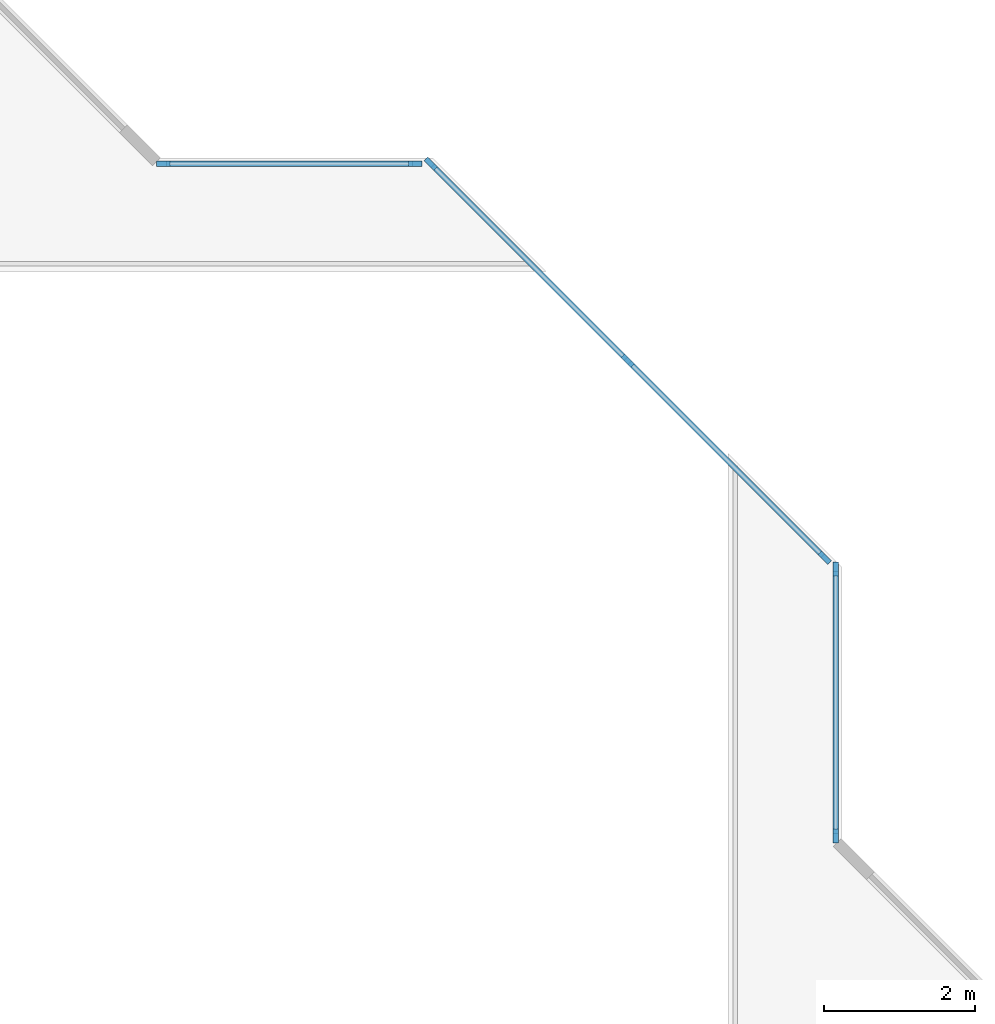
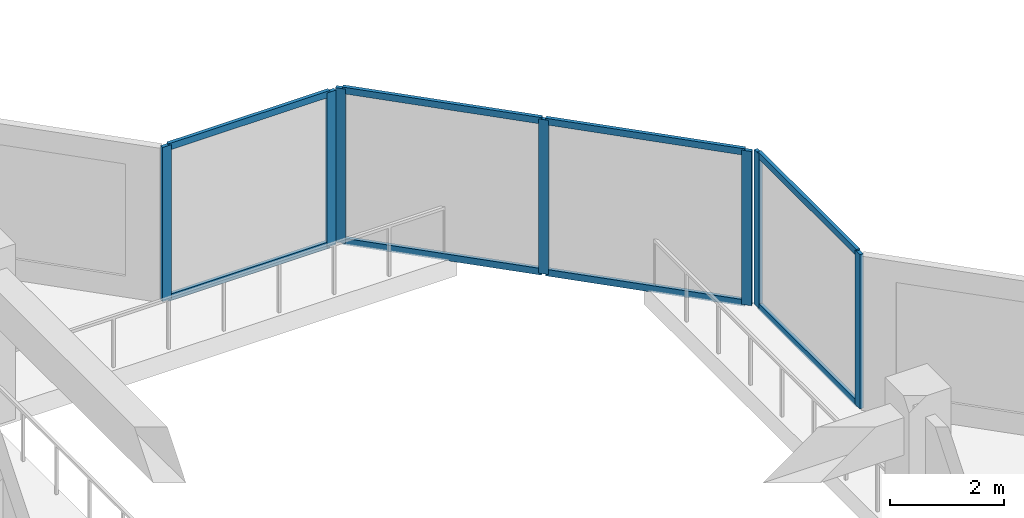
# One storey, part 2 of 15: 15 members, 3 elements without a shape of their own.
"""IFC4 building model written with IfcOpenShell, lengths in metres."""

from ifc_helpers import new_model, si_unit, direction, frame, origin, origin_2d, place, context, subcontext, project, spatial, rectangle, extrude, material, layer, layer_set, material_profile, profile_set, type_object, element, aggregate, save


model = new_model("IFC4")

# Units and contexts
model_context = context("Model", 3, precision=1e-05, world=origin(), true_north=direction((0.0, 1.0)))
body_context = subcontext(model_context, "Body", "Model", "MODEL_VIEW")
ifc_project = project(units=[si_unit("LENGTHUNIT", "METRE"), si_unit("AREAUNIT", "SQUARE_METRE"), si_unit("VOLUMEUNIT", "CUBIC_METRE"), si_unit("PLANEANGLEUNIT", "RADIAN"), si_unit("MASSUNIT", "GRAM", prefix="KILO")], contexts=[model_context])

# Site, building, storey
site_placement = place(None, origin())
site = spatial("IfcSite", under=ifc_project, at=site_placement, CompositionType="ELEMENT")
building_placement = place(site_placement, origin())
building = spatial("IfcBuilding", under=site, at=building_placement, Name="Chenar Terraces", CompositionType="ELEMENT")
storey_placement = place(building_placement, frame((0.0, 0.0, 252.89990234375)))
storey = spatial("IfcBuildingStorey", under=building, at=storey_placement, Name="L60", CompositionType="ELEMENT", Elevation=252.89990234375)

# Curtain wall, members
ifc_material_1 = material(Name="Aluminium framed glazing", Category="aluminium")
ifc_layer = layer(ifc_material_1, 0.14990234375)
ifc_layer_set = layer_set([ifc_layer], Name="Aluminium framed glazing")
curtain_wall_type = type_object("IfcCurtainWallType", Name="Atrium mid-zone curtain wall", PredefinedType="NOTDEFINED", material=ifc_layer_set)
placement = place(storey_placement, origin())
curtain_wall_1 = element("IfcCurtainWall", 1, at=placement, inside=storey, type_object=curtain_wall_type, Name="Atrium mid-zone curtain wall", PredefinedType="NOTDEFINED")
ifc_material_2 = material(Name="Aluminium", Category="aluminium")
ifc_material_profile_1 = material_profile(ifc_material_2, rectangle(XDim=0.070068359375, YDim=0.179931640625, at=origin_2d()), Name="Atrium mid-zone glazing mullion 70 x 180")
ifc_profile_set_1 = profile_set([ifc_material_profile_1], Name="Aluminium")
member_type_1 = type_object("IfcMemberType", Name="Atrium mid-zone glazing mullion 70 x 180", PredefinedType="MULLION", material=ifc_profile_set_1)
member_1_placement = place(storey_placement, frame((37.425048828125, 28.534912109375, 0.0), z_axis=(0.0, 0.0, 1.0), x_axis=(-1.0, 0.0, 0.0)))
member_1 = element("IfcMember", 2, at=member_1_placement, type_object=member_type_1, Name="CW7-1 mullion 1", PredefinedType="MULLION", context=body_context, shape_type="SweptSolid", body=[
    extrude(rectangle(XDim=0.070068359375, YDim=0.179931640625, at=origin_2d()), origin(), (0.0, 0.0, 1.0), 3.300048828125),
])
member_2_placement = place(storey_placement, frame((37.425048828125, 32.06494140625, 0.0), z_axis=(0.0, 0.0, 1.0), x_axis=(-1.0, 0.0, 0.0)))
member_2 = element("IfcMember", 3, at=member_2_placement, type_object=member_type_1, Name="CW7-1 mullion 2", PredefinedType="MULLION", context=body_context, shape_type="SweptSolid", body=[
    extrude(rectangle(XDim=0.070068359375, YDim=0.179931640625, at=origin_2d()), origin(), (0.0, 0.0, 1.0), 3.300048828125),
])

curtain_wall_2 = element("IfcCurtainWall", 4, at=placement, inside=storey, type_object=curtain_wall_type, Name="Atrium mid-zone curtain wall", PredefinedType="NOTDEFINED")
member_3_placement = place(storey_placement, frame((37.28076171875, 32.213134765625, 0.0), z_axis=(0.0, 0.0, 1.0), x_axis=(-0.707106781187, -0.707106781187, 0.0)))
member_3 = element("IfcMember", 5, at=member_3_placement, type_object=member_type_1, Name="CW7-2 mullion 1", PredefinedType="MULLION", context=body_context, shape_type="SweptSolid", body=[
    extrude(rectangle(XDim=0.070068359375, YDim=0.179931640625, at=origin_2d()), origin(), (0.0, 0.0, 1.0), 3.300048828125),
])
member_4_placement = place(storey_placement, frame((34.67626953125, 34.817626953125, 0.0), z_axis=(0.0, 0.0, 1.0), x_axis=(-0.707106781187, -0.707106781187, 0.0)))
member_4 = element("IfcMember", 6, at=member_4_placement, type_object=member_type_1, Name="CW7-2 mullion 2", PredefinedType="MULLION", context=body_context, shape_type="SweptSolid", body=[
    extrude(rectangle(XDim=0.070068359375, YDim=0.179931640625, at=origin_2d()), origin(), (0.0, 0.0, 1.0), 3.300048828125),
])
member_5_placement = place(storey_placement, frame((32.07177734375, 37.42236328125, 0.0), z_axis=(0.0, 0.0, 1.0), x_axis=(-0.707106781187, -0.707106781187, 0.0)))
member_5 = element("IfcMember", 7, at=member_5_placement, type_object=member_type_1, Name="CW7-2 mullion 3", PredefinedType="MULLION", context=body_context, shape_type="SweptSolid", body=[
    extrude(rectangle(XDim=0.070068359375, YDim=0.179931640625, at=origin_2d()), origin(), (0.0, 0.0, 1.0), 3.300048828125),
])

curtain_wall_3 = element("IfcCurtainWall", 8, at=placement, inside=storey, type_object=curtain_wall_type, Name="Atrium mid-zone curtain wall", PredefinedType="NOTDEFINED")
member_6_placement = place(storey_placement, frame((31.864990234375, 37.425048828125, 0.0), z_axis=(0.0, 0.0, 1.0), x_axis=(0.0, -1.0, 0.0)))
member_6 = element("IfcMember", 9, at=member_6_placement, type_object=member_type_1, Name="CW7-3 mullion 1", PredefinedType="MULLION", context=body_context, shape_type="SweptSolid", body=[
    extrude(rectangle(XDim=0.070068359375, YDim=0.179931640625, at=origin_2d()), origin(), (0.0, 0.0, 1.0), 3.300048828125),
])
member_7_placement = place(storey_placement, frame((28.534912109375, 37.425048828125, 0.0), z_axis=(0.0, 0.0, 1.0), x_axis=(0.0, -1.0, 0.0)))
member_7 = element("IfcMember", 10, at=member_7_placement, type_object=member_type_1, Name="CW7-3 mullion 2", PredefinedType="MULLION", context=body_context, shape_type="SweptSolid", body=[
    extrude(rectangle(XDim=0.070068359375, YDim=0.179931640625, at=origin_2d()), origin(), (0.0, 0.0, 1.0), 3.300048828125),
])

# Member
ifc_material_3 = material(Name="Aluminium", Category="aluminium")
ifc_material_profile_2 = material_profile(ifc_material_3, rectangle(XDim=0.070068359375, YDim=0.139892578125, at=origin_2d()), Name="Atrium mid-zone glazing transom 70 x 140")
ifc_profile_set_2 = profile_set([ifc_material_profile_2], Name="Aluminium")
member_type_2 = type_object("IfcMemberType", Name="Atrium mid-zone glazing transom 70 x 140", PredefinedType="USERDEFINED", material=ifc_profile_set_2)
member_8_placement = place(storey_placement, frame((37.425048828125, 28.570068359375, 0.03515625), z_axis=(0.0, 1.0, 0.0), x_axis=(-1.0, 0.0, 0.0)))
member_8 = element("IfcMember", 11, at=member_8_placement, type_object=member_type_2, Name="CW7-1 transom 1.1", ObjectType="TRANSOM", PredefinedType="USERDEFINED", context=body_context, shape_type="SweptSolid", body=[
    extrude(rectangle(XDim=0.070068359375, YDim=0.139892578125, at=origin_2d()), origin(), (0.0, 0.0, 1.0), 3.4599609375),
])

member_9_placement = place(storey_placement, frame((37.425048828125, 28.570068359375, 3.26513671875), z_axis=(0.0, 1.0, 0.0), x_axis=(-1.0, 0.0, 0.0)))
member_9 = element("IfcMember", 12, at=member_9_placement, type_object=member_type_2, Name="CW7-1 transom 1.2", ObjectType="TRANSOM", PredefinedType="USERDEFINED", context=body_context, shape_type="SweptSolid", body=[
    extrude(rectangle(XDim=0.070068359375, YDim=0.139892578125, at=origin_2d()), origin(), (0.0, 0.0, 1.0), 3.4599609375),
])

aggregate(curtain_wall_1, [member_1, member_2, member_8, member_9])

member_10_placement = place(storey_placement, frame((37.256103515625, 32.23779296875, 0.03515625), z_axis=(-0.707106781187, 0.707106781187, 0.0), x_axis=(-0.707106781187, -0.707106781187, 0.0)))
member_10 = element("IfcMember", 13, at=member_10_placement, type_object=member_type_2, Name="CW7-2 transom 1.1", ObjectType="TRANSOM", PredefinedType="USERDEFINED", context=body_context, shape_type="SweptSolid", body=[
    extrude(rectangle(XDim=0.070068359375, YDim=0.139892578125, at=origin_2d()), origin(), (0.0, 0.0, 1.0), 3.613525390625),
])

member_11_placement = place(storey_placement, frame((37.256103515625, 32.23779296875, 3.26513671875), z_axis=(-0.707106781187, 0.707106781187, 0.0), x_axis=(-0.707106781187, -0.707106781187, 0.0)))
member_11 = element("IfcMember", 14, at=member_11_placement, type_object=member_type_2, Name="CW7-2 transom 1.2", ObjectType="TRANSOM", PredefinedType="USERDEFINED", context=body_context, shape_type="SweptSolid", body=[
    extrude(rectangle(XDim=0.070068359375, YDim=0.139892578125, at=origin_2d()), origin(), (0.0, 0.0, 1.0), 3.613525390625),
])

member_12_placement = place(storey_placement, frame((34.651611328125, 34.842529296875, 0.03515625), z_axis=(-0.707140563131, 0.707072997628, 0.0), x_axis=(-0.707072997628, -0.707140563131, 0.0)))
member_12 = element("IfcMember", 15, at=member_12_placement, type_object=member_type_2, Name="CW7-2 transom 2.1", ObjectType="TRANSOM", PredefinedType="USERDEFINED", context=body_context, shape_type="SweptSolid", body=[
    extrude(rectangle(XDim=0.070068359375, YDim=0.139892578125, at=origin_2d()), origin(), (0.0, 0.0, 1.0), 3.61328125),
])

member_13_placement = place(storey_placement, frame((34.651611328125, 34.842529296875, 3.26513671875), z_axis=(-0.707140563131, 0.707072997628, 0.0), x_axis=(-0.707072997628, -0.707140563131, 0.0)))
member_13 = element("IfcMember", 16, at=member_13_placement, type_object=member_type_2, Name="CW7-2 transom 2.2", ObjectType="TRANSOM", PredefinedType="USERDEFINED", context=body_context, shape_type="SweptSolid", body=[
    extrude(rectangle(XDim=0.070068359375, YDim=0.139892578125, at=origin_2d()), origin(), (0.0, 0.0, 1.0), 3.61328125),
])

aggregate(curtain_wall_2, [member_3, member_4, member_5, member_10, member_11, member_12, member_13])

member_14_placement = place(storey_placement, frame((31.830078125, 37.425048828125, 0.03515625), z_axis=(-1.0, 0.0, 0.0), x_axis=(0.0, -1.0, 0.0)))
member_14 = element("IfcMember", 17, at=member_14_placement, type_object=member_type_2, Name="CW7-3 transom 1.1", ObjectType="TRANSOM", PredefinedType="USERDEFINED", context=body_context, shape_type="SweptSolid", body=[
    extrude(rectangle(XDim=0.070068359375, YDim=0.139892578125, at=origin_2d()), origin(), (0.0, 0.0, 1.0), 3.260009765625),
])

member_15_placement = place(storey_placement, frame((31.830078125, 37.425048828125, 3.26513671875), z_axis=(-1.0, 0.0, 0.0), x_axis=(0.0, -1.0, 0.0)))
member_15 = element("IfcMember", 18, at=member_15_placement, type_object=member_type_2, Name="CW7-3 transom 1.2", ObjectType="TRANSOM", PredefinedType="USERDEFINED", context=body_context, shape_type="SweptSolid", body=[
    extrude(rectangle(XDim=0.070068359375, YDim=0.139892578125, at=origin_2d()), origin(), (0.0, 0.0, 1.0), 3.260009765625),
])

aggregate(curtain_wall_3, [member_6, member_7, member_14, member_15])

save(model, "model.ifc")
